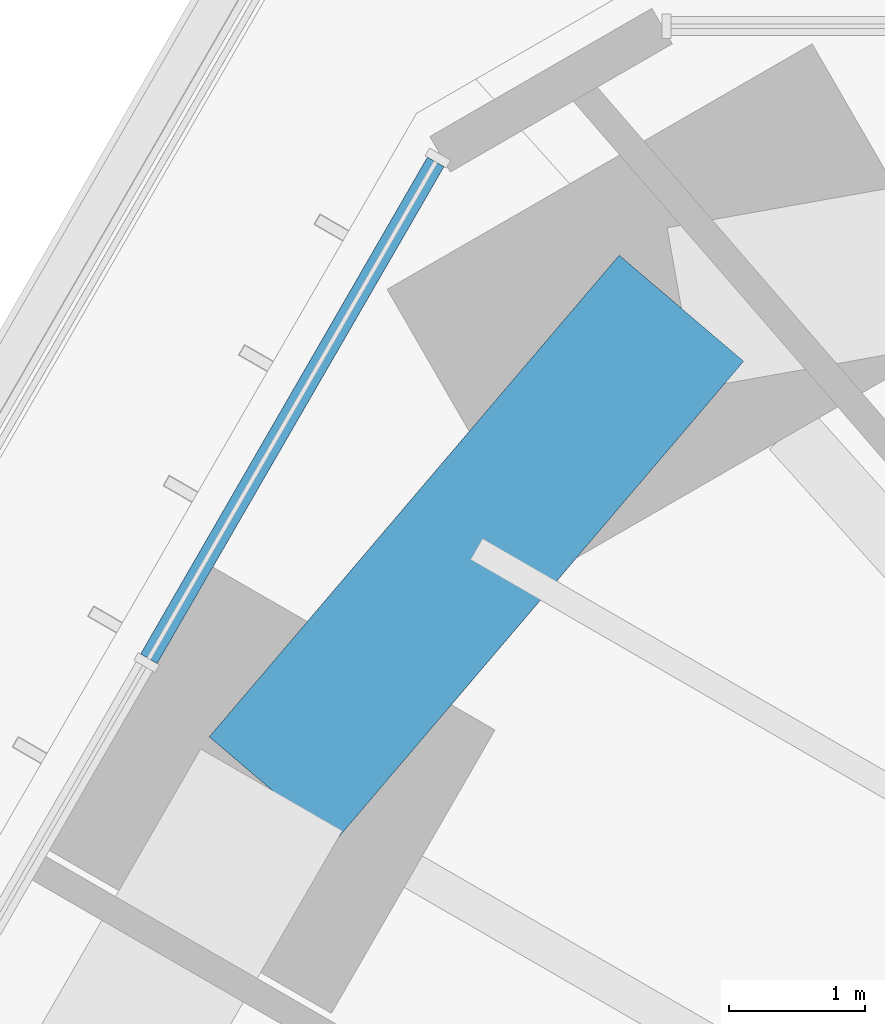
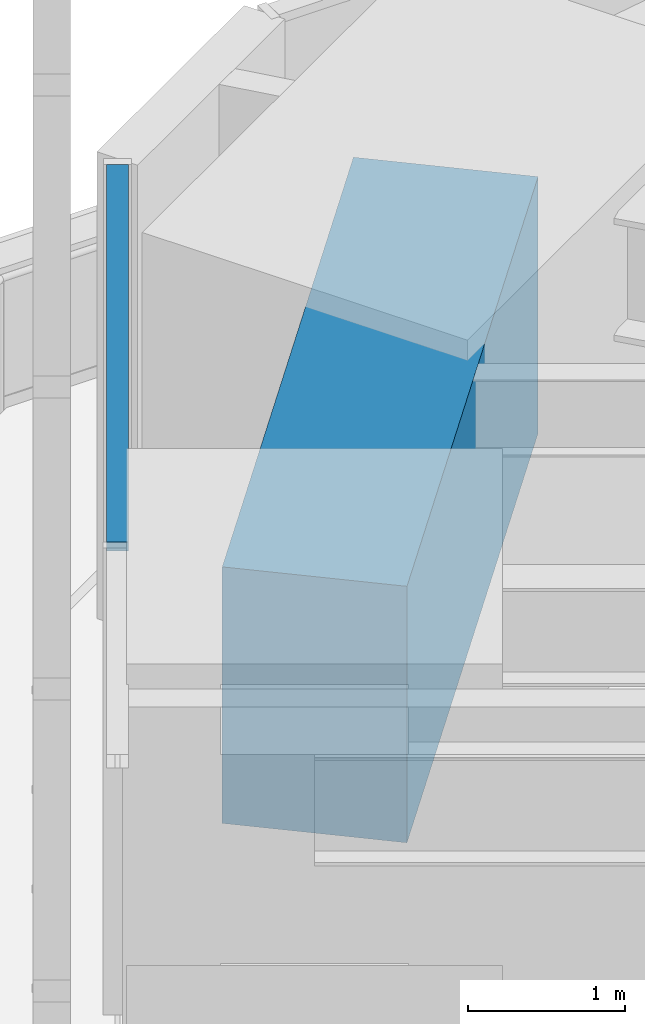
# One storey, part 144 of 238: 1 beam, 1 member, 1 element without a shape of its own.
"""IFC4 building model written with IfcOpenShell, lengths in metres."""

from ifc_helpers import new_model, si_unit, direction, frame, origin, origin_2d, place, context, subcontext, project, spatial, rectangle, extrude, material, material_profile, profile_set, type_object, element, aggregate, save


model = new_model("IFC4")

# Units and contexts
model_context = context("Model", 3, precision=1e-05, world=origin(), true_north=direction((0.0, 1.0)))
body_context = subcontext(model_context, "Body", "Model", "MODEL_VIEW")
ifc_project = project(units=[si_unit("LENGTHUNIT", "METRE"), si_unit("AREAUNIT", "SQUARE_METRE"), si_unit("VOLUMEUNIT", "CUBIC_METRE"), si_unit("PLANEANGLEUNIT", "RADIAN"), si_unit("MASSUNIT", "GRAM", prefix="KILO")], contexts=[model_context])

# Site, building, storey
site_placement = place(None, origin())
site = spatial("IfcSite", under=ifc_project, at=site_placement, CompositionType="ELEMENT")
building_placement = place(site_placement, origin())
building = spatial("IfcBuilding", under=site, at=building_placement, Name="Sandreach Pilgrim Tower", CompositionType="ELEMENT")
storey_placement = place(building_placement, frame((0.0, 0.0, 96.800048828125)))
storey = spatial("IfcBuildingStorey", under=building, at=storey_placement, Name="L23", CompositionType="ELEMENT", Elevation=96.800048828125)

# Curtain wall, member
ifc_material_1 = material(Name="Aluminium framed curtain wall", Category="aluminium")
curtain_wall_type = type_object("IfcCurtainWallType", Name="Hotel tower curtain wall", PredefinedType="NOTDEFINED", material=ifc_material_1)
curtain_wall_placement = place(storey_placement, origin())
curtain_wall = element("IfcCurtainWall", 1, at=curtain_wall_placement, inside=storey, type_object=curtain_wall_type, Name="CW-2 L23 NW", PredefinedType="NOTDEFINED")
ifc_material_2 = material(Name="Aluminium extrusion", Category="aluminium")
ifc_material_profile_1 = material_profile(ifc_material_2, rectangle(XDim=0.139892578125, YDim=0.070068359375, at=origin_2d()), Name="CW-2T 140X70")
ifc_profile_set_1 = profile_set([ifc_material_profile_1], Name="Aluminium extrusion")
member_type = type_object("IfcMemberType", Name="CW-2 transom", PredefinedType="USERDEFINED", material=ifc_profile_set_1)
member_placement = place(storey_placement, frame((-22.24609375, 17.85302734375, 3.60498046875), z_axis=(0.49997020258, 0.86604260665, 0.0), x_axis=(-0.86604260665, 0.49997020258, 0.0)))
member = element("IfcMember", 2, at=member_placement, type_object=member_type, Name="CW-2 head transom 4", ObjectType="TRANSOM", PredefinedType="USERDEFINED", context=body_context, shape_type="SweptSolid", body=[
    extrude(rectangle(XDim=0.139892578125, YDim=0.070068359375, at=origin_2d()), origin(), (0.0, 0.0, 1.0), 4.208251953125),
])
aggregate(curtain_wall, [member])

# Beam
ifc_material_3 = material(Name="Concrete 10000 psi", Category="concrete")
ifc_material_profile_2 = material_profile(ifc_material_3, rectangle(XDim=1.199951171875, YDim=2.0, at=origin_2d()), Name="RC1200X2000")
ifc_profile_set_2 = profile_set([ifc_material_profile_2], Name="Concrete 10000 psi")
beam_type = type_object("IfcBeamType", Name="Spandrel beam RC1200X2000", PredefinedType="SPANDREL", material=ifc_profile_set_2)
beam_placement = place(storey_placement, frame((-21.346435546875, 16.891357421875, 2.639892578125), z_axis=(0.648208888384, 0.761462564425, 0.0), x_axis=(-0.761462564425, 0.648208888384, 0.0)))
element("IfcBeam", 3, at=beam_placement, inside=storey, type_object=beam_type, Name="BM L23 SP38", PredefinedType="SPANDREL", context=body_context, shape_type="SweptSolid", body=[
    extrude(rectangle(XDim=1.199951171875, YDim=2.0, at=origin_2d()), origin(), (0.0, 0.0, 1.0), 4.63916015625),
])

save(model, "model.ifc")
